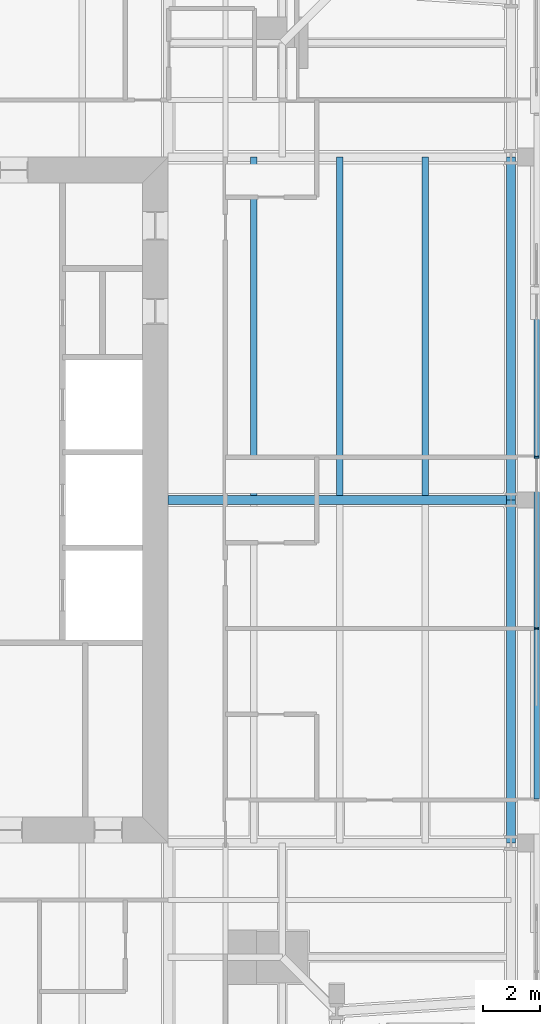
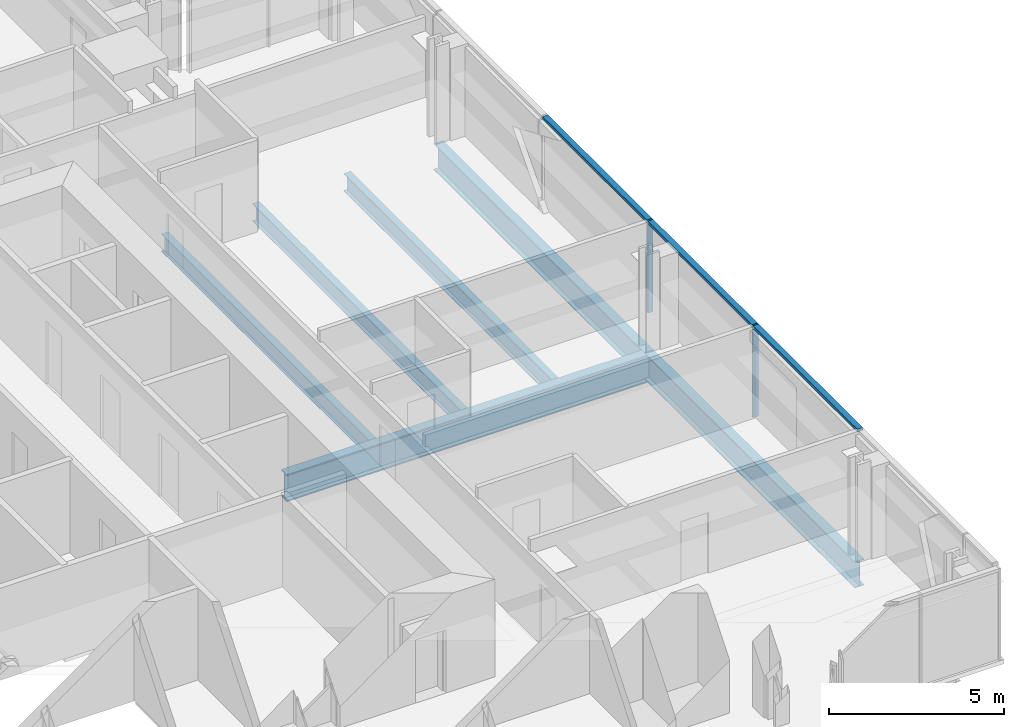
# One storey, part 6 of 18: 6 beams, 5 members, 1 element without a shape of its own.
"""IFC4 building model written with IfcOpenShell, lengths in metres."""

from ifc_helpers import new_model, si_unit, direction, frame, origin, origin_2d, place, context, subcontext, project, spatial, rectangle, i_section, extrude, material, material_profile, profile_set, type_object, element, aggregate, save


model = new_model("IFC4")

# Units and contexts
model_context = context("Model", 3, precision=1e-05, world=origin(), true_north=direction((0.0, 1.0)))
body_context = subcontext(model_context, "Body", "Model", "MODEL_VIEW")
ifc_project = project(units=[si_unit("LENGTHUNIT", "METRE"), si_unit("AREAUNIT", "SQUARE_METRE"), si_unit("VOLUMEUNIT", "CUBIC_METRE"), si_unit("PLANEANGLEUNIT", "RADIAN"), si_unit("MASSUNIT", "GRAM", prefix="KILO")], contexts=[model_context])

# Site, building, storey
site_placement = place(None, origin())
site = spatial("IfcSite", under=ifc_project, at=site_placement, CompositionType="ELEMENT")
building_placement = place(site_placement, origin())
building = spatial("IfcBuilding", under=site, at=building_placement, Name="Fenwick Lantern Interchange", CompositionType="ELEMENT")
storey_placement = place(building_placement, frame((0.0, 0.0, 293.39990234375)))
storey = spatial("IfcBuildingStorey", under=building, at=storey_placement, Name="L71", CompositionType="ELEMENT", Elevation=293.39990234375)

# Beams
ifc_material_1 = material(Name="Steel ASTM A992 Grade 50", Category="steel")
ifc_material_profile_1 = material_profile(ifc_material_1, i_section(OverallWidth=0.3046875, OverallDepth=0.911865234375, WebThickness=0.015869140625, FlangeThickness=0.02392578125, at=origin_2d()), Name="W36X150")
ifc_profile_set_1 = profile_set([ifc_material_profile_1], Name="Steel ASTM A992 Grade 50")
beam_type_1 = type_object("IfcBeamType", Name="EDGE BEAM W36X150", PredefinedType="SPANDREL", material=ifc_profile_set_1)
for number, where, z_axis, x_axis, name in (
    (1, (49.0, 13.0, -0.605712890625), (0.0, 1.0, 0.0), (-1.0, 0.0, 0.0), "L71/FR/E/EB2"),
    (2, (49.0, 25.0, -0.605712890625), (0.0, 1.0, 0.0), (-1.0, 0.0, 0.0), "L71/FR/E/EB3"),
):
    element("IfcBeam", number, at=place(storey_placement, frame(where, z_axis=z_axis, x_axis=x_axis)), inside=storey, type_object=beam_type_1, Name=name, PredefinedType="SPANDREL", context=body_context, shape_type="SweptSolid", body=[
        extrude(i_section(OverallWidth=0.3046875, OverallDepth=0.911865234375, WebThickness=0.015869140625, FlangeThickness=0.02392578125, at=origin_2d()), origin(), (0.0, 0.0, 1.0), 12.0),
    ])
ifc_material_profile_2 = material_profile(ifc_material_1, i_section(OverallWidth=0.22900390625, OverallDepth=0.612060546875, WebThickness=0.011962890625, FlangeThickness=0.01953125, at=origin_2d()), Name="W24X84")
ifc_profile_set_2 = profile_set([ifc_material_profile_2], Name="Steel ASTM A992 Grade 50")
beam_type_2 = type_object("IfcBeamType", Name="FLOOR BEAM W24X84", PredefinedType="BEAM", material=ifc_profile_set_2)
for number, where, z_axis, x_axis, name in (
    (3, (46.0, 25.155029296875, -0.4560546875), (0.0, 1.0, 0.0), (-1.0, 0.0, 0.0), "L71/FR/E/B04"),
    (4, (43.0, 25.155029296875, -0.4560546875), (0.0, 1.0, 0.0), (-1.0, 0.0, 0.0), "L71/FR/E/B05"),
    (5, (40.0, 25.155029296875, -0.4560546875), (0.0, 1.0, 0.0), (-1.0, 0.0, 0.0), "L71/FR/E/B06"),
):
    element("IfcBeam", number, at=place(storey_placement, frame(where, z_axis=z_axis, x_axis=x_axis)), inside=storey, type_object=beam_type_2, Name=name, PredefinedType="BEAM", context=body_context, shape_type="SweptSolid", body=[
        extrude(i_section(OverallWidth=0.22900390625, OverallDepth=0.612060546875, WebThickness=0.011962890625, FlangeThickness=0.01953125, at=origin_2d()), origin(), (0.0, 0.0, 1.0), 11.844970703125),
    ])

# Curtain wall, members
ifc_material_2 = material(Name="Aluminium curtain wall frame", Category="aluminium")
curtain_wall_type = type_object("IfcCurtainWallType", Name="HOTEL CURTAIN WALL", PredefinedType="USERDEFINED", material=ifc_material_2)
curtain_wall_placement = place(storey_placement, origin())
curtain_wall = element("IfcCurtainWall", 6, at=curtain_wall_placement, inside=storey, type_object=curtain_wall_type, Name="Hotel curtain wall 05", ObjectType="HOTEL CURTAIN WALL", PredefinedType="USERDEFINED")
ifc_material_3 = material(Name="Aluminium extrusion", Category="aluminium")
ifc_material_profile_3 = material_profile(ifc_material_3, rectangle(XDim=0.179931640625, YDim=0.06005859375, at=origin_2d()), Name="HOTEL CURTAIN WALL MULLION 60 X 180")
ifc_profile_set_3 = profile_set([ifc_material_profile_3], Name="Aluminium extrusion")
member_type_1 = type_object("IfcMemberType", Name="HOTEL CURTAIN WALL MULLION 60 X 180", PredefinedType="MULLION", material=ifc_profile_set_3)
member_1_placement = place(storey_placement, frame((49.89990234375, 20.5, 0.0), z_axis=(0.0, 0.0, 1.0), x_axis=(-1.0, 0.0, 0.0)))
member_1 = element("IfcMember", 7, at=member_1_placement, type_object=member_type_1, Name="L71/CW/05/M03", PredefinedType="MULLION", context=body_context, shape_type="SweptSolid", body=[
    extrude(rectangle(XDim=0.179931640625, YDim=0.06005859375, at=origin_2d()), origin(), (0.0, 0.0, 1.0), 3.2001953125),
])
member_2_placement = place(storey_placement, frame((49.89990234375, 26.5, 0.0), z_axis=(0.0, 0.0, 1.0), x_axis=(-1.0, 0.0, 0.0)))
member_2 = element("IfcMember", 8, at=member_2_placement, type_object=member_type_1, Name="L71/CW/05/M04", PredefinedType="MULLION", context=body_context, shape_type="SweptSolid", body=[
    extrude(rectangle(XDim=0.179931640625, YDim=0.06005859375, at=origin_2d()), origin(), (0.0, 0.0, 1.0), 3.2001953125),
])
ifc_material_profile_4 = material_profile(ifc_material_3, rectangle(XDim=0.179931640625, YDim=0.10009765625, at=origin_2d()), Name="HOTEL CURTAIN WALL TRANSOM 100 X 180")
ifc_profile_set_4 = profile_set([ifc_material_profile_4], Name="Aluminium extrusion")
member_type_2 = type_object("IfcMemberType", Name="HOTEL CURTAIN WALL TRANSOM 100 X 180", PredefinedType="MULLION", material=ifc_profile_set_4)
member_3_placement = place(storey_placement, frame((49.89990234375, 14.530029296875, 3.150146484375), z_axis=(0.0, 1.0, 0.0), x_axis=(-1.0, 0.0, 0.0)))
member_3 = element("IfcMember", 9, at=member_3_placement, type_object=member_type_2, Name="L71/CW/05/T02", PredefinedType="MULLION", context=body_context, shape_type="SweptSolid", body=[
    extrude(rectangle(XDim=0.179931640625, YDim=0.10009765625, at=origin_2d()), origin(), (0.0, 0.0, 1.0), 5.93994140625),
])
member_4_placement = place(storey_placement, frame((49.89990234375, 20.530029296875, 3.150146484375), z_axis=(0.0, 1.0, 0.0), x_axis=(-1.0, 0.0, 0.0)))
member_4 = element("IfcMember", 10, at=member_4_placement, type_object=member_type_2, Name="L71/CW/05/T03", PredefinedType="MULLION", context=body_context, shape_type="SweptSolid", body=[
    extrude(rectangle(XDim=0.179931640625, YDim=0.10009765625, at=origin_2d()), origin(), (0.0, 0.0, 1.0), 5.93994140625),
])
member_5_placement = place(storey_placement, frame((49.89990234375, 26.530029296875, 3.150146484375), z_axis=(0.0, 1.0, 0.0), x_axis=(-1.0, 0.0, 0.0)))
member_5 = element("IfcMember", 11, at=member_5_placement, type_object=member_type_2, Name="L71/CW/05/T04", PredefinedType="MULLION", context=body_context, shape_type="SweptSolid", body=[
    extrude(rectangle(XDim=0.179931640625, YDim=0.10009765625, at=origin_2d()), origin(), (0.0, 0.0, 1.0), 5.93994140625),
])
aggregate(curtain_wall, [member_1, member_2, member_3, member_4, member_5])

# Beam
ifc_material_profile_5 = material_profile(ifc_material_1, i_section(OverallWidth=0.309814453125, OverallDepth=0.949951171875, WebThickness=0.0244140625, FlangeThickness=0.0439453125, at=origin_2d()), Name="W36X256")
ifc_profile_set_5 = profile_set([ifc_material_profile_5], Name="Steel ASTM A992 Grade 50")
beam_type_3 = type_object("IfcBeamType", Name="MOMENT-CONNECTED GIRDER W36X256", PredefinedType="BEAM", material=ifc_profile_set_5)
beam_placement = place(storey_placement, frame((49.0, 25.0, -0.625), z_axis=(-1.0, 0.0, 0.0), x_axis=(0.0, -1.0, 0.0)))
element("IfcBeam", 12, at=beam_placement, inside=storey, type_object=beam_type_3, Name="L71/FR/E/R02", PredefinedType="BEAM", context=body_context, shape_type="SweptSolid", body=[
    extrude(i_section(OverallWidth=0.309814453125, OverallDepth=0.949951171875, WebThickness=0.0244140625, FlangeThickness=0.0439453125, at=origin_2d()), origin(), (0.0, 0.0, 1.0), 12.0),
])

save(model, "model.ifc")
